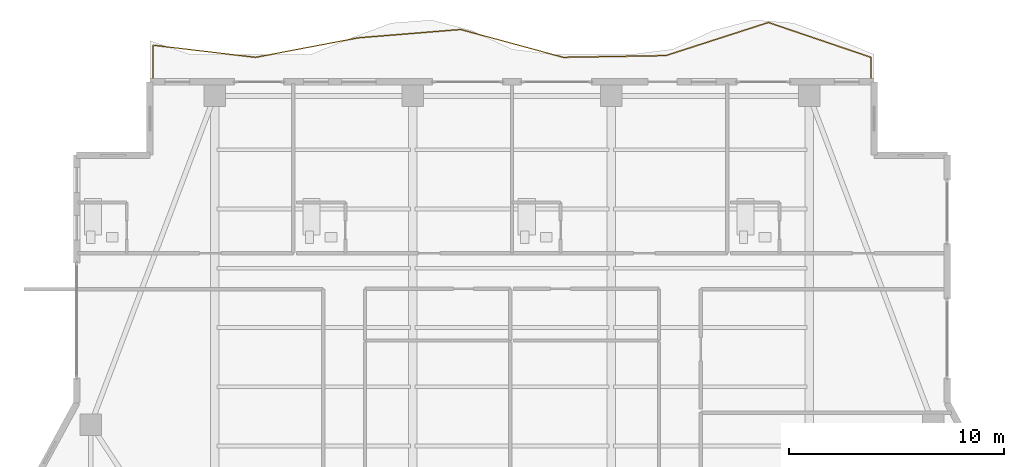
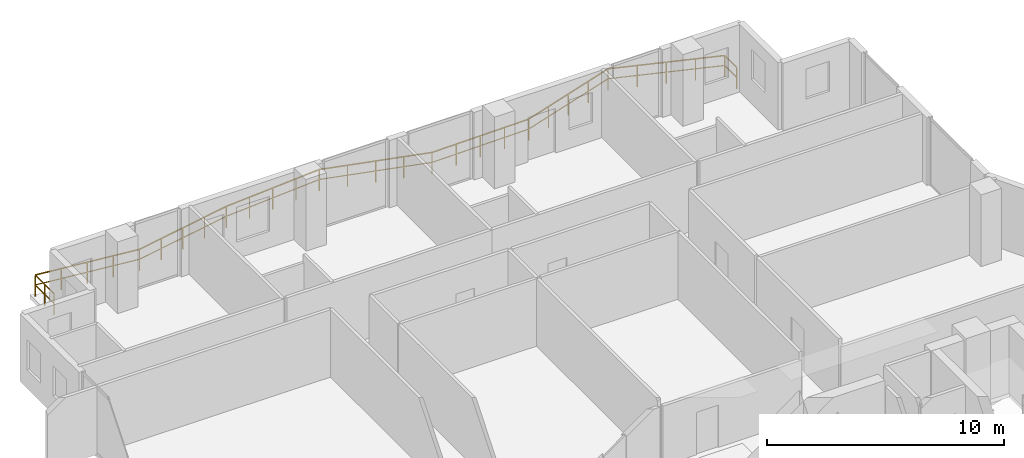
# One storey, part 25 of 26: 1 railing.
"""IFC4 building model written with IfcOpenShell, lengths in metres."""

from ifc_helpers import new_model, si_unit, direction, frame, origin, origin_2d, place, context, subcontext, project, spatial, rectangle, extrude, material, type_object, element, save


model = new_model("IFC4")

# Units and contexts
model_context = context("Model", 3, precision=1e-05, world=origin(), true_north=direction((0.0, 1.0)))
body_context = subcontext(model_context, "Body", "Model", "MODEL_VIEW")
ifc_project = project(units=[si_unit("LENGTHUNIT", "METRE"), si_unit("AREAUNIT", "SQUARE_METRE"), si_unit("VOLUMEUNIT", "CUBIC_METRE"), si_unit("PLANEANGLEUNIT", "RADIAN"), si_unit("MASSUNIT", "GRAM", prefix="KILO")], contexts=[model_context])

# Site, building, storey
site_placement = place(None, origin())
site = spatial("IfcSite", under=ifc_project, at=site_placement, CompositionType="ELEMENT")
building_placement = place(site_placement, origin())
building = spatial("IfcBuilding", under=site, at=building_placement, Name="Zuhayl Quay Hotel", CompositionType="ELEMENT")
storey_placement = place(building_placement, frame((0.0, 0.0, 254.449951171875)))
storey = spatial("IfcBuildingStorey", under=building, at=storey_placement, Name="L64", CompositionType="ELEMENT", Elevation=254.449951171875)

# Railing
ifc_material = material(Name="Anodised Aluminium and Laminated Glass", Category="aluminium")
railing_type = type_object("IfcRailingType", Name="RL_EXT_BAL_1100", PredefinedType="BALUSTRADE", material=ifc_material)
railing_placement = place(storey_placement, frame((-16.659912109375, 39.1201171875, 0.0)))
element("IfcRailing", 1, at=railing_placement, inside=storey, type_object=railing_type, Name="L64 Balcony and Terrace Guard GR_L64_BAL_N", PredefinedType="BALUSTRADE", context=body_context, shape_type="SweptSolid", body=[
    extrude(rectangle(XDim=0.048095703125, YDim=0.048095703125, at=origin_2d()), frame((0.0, 0.0, 1.09619140625), z_axis=(0.0, 1.0, 0.0), x_axis=(-1.0, 0.0, 0.0)), (0.0, 0.0, 1.0), 1.582275390625),
    extrude(rectangle(XDim=0.0361328125, YDim=0.0361328125, at=origin_2d()), frame((0.0, 0.0, 0.58251953125), z_axis=(0.0, 1.0, 0.0), x_axis=(-1.0, 0.0, 0.0)), (0.0, 0.0, 1.0), 1.582275390625),
    extrude(rectangle(XDim=0.048095703125, YDim=0.048095703125, at=origin_2d()), frame((0.0, 1.582275390625, 1.09619140625), z_axis=(0.993089974395, -0.117355454737, 0.0), x_axis=(0.117355454737, 0.993089974395, 0.0)), (0.0, 0.0, 1.0), 4.793212890625),
    extrude(rectangle(XDim=0.0361328125, YDim=0.0361328125, at=origin_2d()), frame((0.0, 1.582275390625, 0.58251953125), z_axis=(0.993089974395, -0.117355454737, 0.0), x_axis=(0.117355454737, 0.993089974395, 0.0)), (0.0, 0.0, 1.0), 4.793212890625),
    extrude(rectangle(XDim=0.048095703125, YDim=0.048095703125, at=origin_2d()), frame((4.760009765625, 1.019775390625, 1.09619140625), z_axis=(0.982391449809, 0.186834256342, 0.0), x_axis=(-0.186834256342, 0.982391449809, 0.0)), (0.0, 0.0, 1.0), 4.84521484375),
    extrude(rectangle(XDim=0.0361328125, YDim=0.0361328125, at=origin_2d()), frame((4.760009765625, 1.019775390625, 0.58251953125), z_axis=(0.982391449809, 0.186834256342, 0.0), x_axis=(-0.186834256342, 0.982391449809, 0.0)), (0.0, 0.0, 1.0), 4.84521484375),
    extrude(rectangle(XDim=0.048095703125, YDim=0.048095703125, at=origin_2d()), frame((9.52001953125, 1.925048828125, 1.09619140625), z_axis=(0.996707756465, 0.081078037737, 0.0), x_axis=(-0.081078037737, 0.996707756465, 0.0)), (0.0, 0.0, 1.0), 4.775634765625),
    extrude(rectangle(XDim=0.0361328125, YDim=0.0361328125, at=origin_2d()), frame((9.52001953125, 1.925048828125, 0.58251953125), z_axis=(0.996707756465, 0.081078037737, 0.0), x_axis=(-0.081078037737, 0.996707756465, 0.0)), (0.0, 0.0, 1.0), 4.775634765625),
    extrude(rectangle(XDim=0.048095703125, YDim=0.048095703125, at=origin_2d()), frame((14.280029296875, 2.312255859375, 1.09619140625), z_axis=(0.965053381227, -0.262053375062, 0.0), x_axis=(0.262053375062, 0.965053381227, 0.0)), (0.0, 0.0, 1.0), 4.93212890625),
    extrude(rectangle(XDim=0.0361328125, YDim=0.0361328125, at=origin_2d()), frame((14.280029296875, 2.312255859375, 0.58251953125), z_axis=(0.965053381227, -0.262053375062, 0.0), x_axis=(0.262053375062, 0.965053381227, 0.0)), (0.0, 0.0, 1.0), 4.93212890625),
    extrude(rectangle(XDim=0.048095703125, YDim=0.048095703125, at=origin_2d()), frame((19.039794921875, 1.019775390625, 1.09619140625), z_axis=(0.999853299437, 0.017128327538, 0.0), x_axis=(-0.017128327538, 0.999853299437, 0.0)), (0.0, 0.0, 1.0), 4.7607421875),
    extrude(rectangle(XDim=0.0361328125, YDim=0.0361328125, at=origin_2d()), frame((19.039794921875, 1.019775390625, 0.58251953125), z_axis=(0.999853299437, 0.017128327538, 0.0), x_axis=(-0.017128327538, 0.999853299437, 0.0)), (0.0, 0.0, 1.0), 4.7607421875),
    extrude(rectangle(XDim=0.048095703125, YDim=0.048095703125, at=origin_2d()), frame((23.7998046875, 1.101318359375, 1.09619140625), z_axis=(0.951685152157, 0.307075513782, 0.0), x_axis=(-0.307075513782, 0.951685152157, 0.0)), (0.0, 0.0, 1.0), 5.001708984375),
    extrude(rectangle(XDim=0.0361328125, YDim=0.0361328125, at=origin_2d()), frame((23.7998046875, 1.101318359375, 0.58251953125), z_axis=(0.951685152157, 0.307075513782, 0.0), x_axis=(-0.307075513782, 0.951685152157, 0.0)), (0.0, 0.0, 1.0), 5.001708984375),
    extrude(rectangle(XDim=0.048095703125, YDim=0.048095703125, at=origin_2d()), frame((28.559814453125, 2.63720703125, 1.09619140625), z_axis=(0.946831634821, -0.321729475339, 0.0), x_axis=(0.321729475339, 0.946831634821, 0.0)), (0.0, 0.0, 1.0), 5.02734375),
    extrude(rectangle(XDim=0.0361328125, YDim=0.0361328125, at=origin_2d()), frame((28.559814453125, 2.63720703125, 0.58251953125), z_axis=(0.946831634821, -0.321729475339, 0.0), x_axis=(0.321729475339, 0.946831634821, 0.0)), (0.0, 0.0, 1.0), 5.02734375),
    extrude(rectangle(XDim=0.048095703125, YDim=0.048095703125, at=origin_2d()), frame((33.31982421875, 1.019775390625, 1.09619140625), z_axis=(0.0, -1.0, 0.0), x_axis=(1.0, 0.0, 0.0)), (0.0, 0.0, 1.0), 1.019775390625),
    extrude(rectangle(XDim=0.0361328125, YDim=0.0361328125, at=origin_2d()), frame((33.31982421875, 1.019775390625, 0.58251953125), z_axis=(0.0, -1.0, 0.0), x_axis=(1.0, 0.0, 0.0)), (0.0, 0.0, 1.0), 1.019775390625),
    extrude(rectangle(XDim=0.0419921875, YDim=0.0419921875, at=origin_2d()), origin(), (0.0, 0.0, 1.0), 1.072021484375),
    extrude(rectangle(XDim=0.0419921875, YDim=0.0419921875, at=origin_2d()), frame((0.0, 0.791015625, 0.0)), (0.0, 0.0, 1.0), 1.072021484375),
    extrude(rectangle(XDim=0.0419921875, YDim=0.0419921875, at=origin_2d()), frame((0.0, 1.582275390625, 0.0)), (0.0, 0.0, 1.0), 1.072021484375),
    extrude(rectangle(XDim=0.0419921875, YDim=0.0419921875, at=origin_2d()), frame((1.18994140625, 1.441650390625, 0.0)), (0.0, 0.0, 1.0), 1.072021484375),
    extrude(rectangle(XDim=0.0419921875, YDim=0.0419921875, at=origin_2d()), frame((2.3798828125, 1.301025390625, 0.0)), (0.0, 0.0, 1.0), 1.072021484375),
    extrude(rectangle(XDim=0.0419921875, YDim=0.0419921875, at=origin_2d()), frame((3.570068359375, 1.160400390625, 0.0)), (0.0, 0.0, 1.0), 1.072021484375),
    extrude(rectangle(XDim=0.0419921875, YDim=0.0419921875, at=origin_2d()), frame((4.760009765625, 1.019775390625, 0.0)), (0.0, 0.0, 1.0), 1.072021484375),
    extrude(rectangle(XDim=0.0419921875, YDim=0.0419921875, at=origin_2d()), frame((5.949951171875, 1.24609375, 0.0)), (0.0, 0.0, 1.0), 1.072021484375),
    extrude(rectangle(XDim=0.0419921875, YDim=0.0419921875, at=origin_2d()), frame((7.14013671875, 1.472412109375, 0.0)), (0.0, 0.0, 1.0), 1.072021484375),
    extrude(rectangle(XDim=0.0419921875, YDim=0.0419921875, at=origin_2d()), frame((8.330078125, 1.69873046875, 0.0)), (0.0, 0.0, 1.0), 1.072021484375),
    extrude(rectangle(XDim=0.0419921875, YDim=0.0419921875, at=origin_2d()), frame((9.52001953125, 1.925048828125, 0.0)), (0.0, 0.0, 1.0), 1.072021484375),
    extrude(rectangle(XDim=0.0419921875, YDim=0.0419921875, at=origin_2d()), frame((10.7099609375, 2.02197265625, 0.0)), (0.0, 0.0, 1.0), 1.072021484375),
    extrude(rectangle(XDim=0.0419921875, YDim=0.0419921875, at=origin_2d()), frame((11.89990234375, 2.11865234375, 0.0)), (0.0, 0.0, 1.0), 1.072021484375),
    extrude(rectangle(XDim=0.0419921875, YDim=0.0419921875, at=origin_2d()), frame((13.090087890625, 2.21533203125, 0.0)), (0.0, 0.0, 1.0), 1.072021484375),
    extrude(rectangle(XDim=0.0419921875, YDim=0.0419921875, at=origin_2d()), frame((14.280029296875, 2.312255859375, 0.0)), (0.0, 0.0, 1.0), 1.072021484375),
    extrude(rectangle(XDim=0.0419921875, YDim=0.0419921875, at=origin_2d()), frame((15.469970703125, 1.9892578125, 0.0)), (0.0, 0.0, 1.0), 1.072021484375),
    extrude(rectangle(XDim=0.0419921875, YDim=0.0419921875, at=origin_2d()), frame((16.659912109375, 1.666015625, 0.0)), (0.0, 0.0, 1.0), 1.072021484375),
    extrude(rectangle(XDim=0.0419921875, YDim=0.0419921875, at=origin_2d()), frame((17.849853515625, 1.3427734375, 0.0)), (0.0, 0.0, 1.0), 1.072021484375),
    extrude(rectangle(XDim=0.0419921875, YDim=0.0419921875, at=origin_2d()), frame((19.039794921875, 1.019775390625, 0.0)), (0.0, 0.0, 1.0), 1.072021484375),
    extrude(rectangle(XDim=0.0419921875, YDim=0.0419921875, at=origin_2d()), frame((20.229736328125, 1.0400390625, 0.0)), (0.0, 0.0, 1.0), 1.072021484375),
    extrude(rectangle(XDim=0.0419921875, YDim=0.0419921875, at=origin_2d()), frame((21.419921875, 1.060546875, 0.0)), (0.0, 0.0, 1.0), 1.072021484375),
    extrude(rectangle(XDim=0.0419921875, YDim=0.0419921875, at=origin_2d()), frame((22.60986328125, 1.0810546875, 0.0)), (0.0, 0.0, 1.0), 1.072021484375),
    extrude(rectangle(XDim=0.0419921875, YDim=0.0419921875, at=origin_2d()), frame((23.7998046875, 1.101318359375, 0.0)), (0.0, 0.0, 1.0), 1.072021484375),
    extrude(rectangle(XDim=0.0419921875, YDim=0.0419921875, at=origin_2d()), frame((24.98974609375, 1.4853515625, 0.0)), (0.0, 0.0, 1.0), 1.072021484375),
    extrude(rectangle(XDim=0.0419921875, YDim=0.0419921875, at=origin_2d()), frame((26.1796875, 1.869140625, 0.0)), (0.0, 0.0, 1.0), 1.072021484375),
    extrude(rectangle(XDim=0.0419921875, YDim=0.0419921875, at=origin_2d()), frame((27.369873046875, 2.253173828125, 0.0)), (0.0, 0.0, 1.0), 1.072021484375),
    extrude(rectangle(XDim=0.0419921875, YDim=0.0419921875, at=origin_2d()), frame((28.559814453125, 2.63720703125, 0.0)), (0.0, 0.0, 1.0), 1.072021484375),
    extrude(rectangle(XDim=0.0419921875, YDim=0.0419921875, at=origin_2d()), frame((29.749755859375, 2.23291015625, 0.0)), (0.0, 0.0, 1.0), 1.072021484375),
    extrude(rectangle(XDim=0.0419921875, YDim=0.0419921875, at=origin_2d()), frame((30.93994140625, 1.82861328125, 0.0)), (0.0, 0.0, 1.0), 1.072021484375),
    extrude(rectangle(XDim=0.0419921875, YDim=0.0419921875, at=origin_2d()), frame((32.1298828125, 1.424072265625, 0.0)), (0.0, 0.0, 1.0), 1.072021484375),
    extrude(rectangle(XDim=0.0419921875, YDim=0.0419921875, at=origin_2d()), frame((33.31982421875, 1.019775390625, 0.0)), (0.0, 0.0, 1.0), 1.072021484375),
    extrude(rectangle(XDim=0.0419921875, YDim=0.0419921875, at=origin_2d()), frame((33.31982421875, 0.0, 0.0)), (0.0, 0.0, 1.0), 1.072021484375),
])

save(model, "model.ifc")
